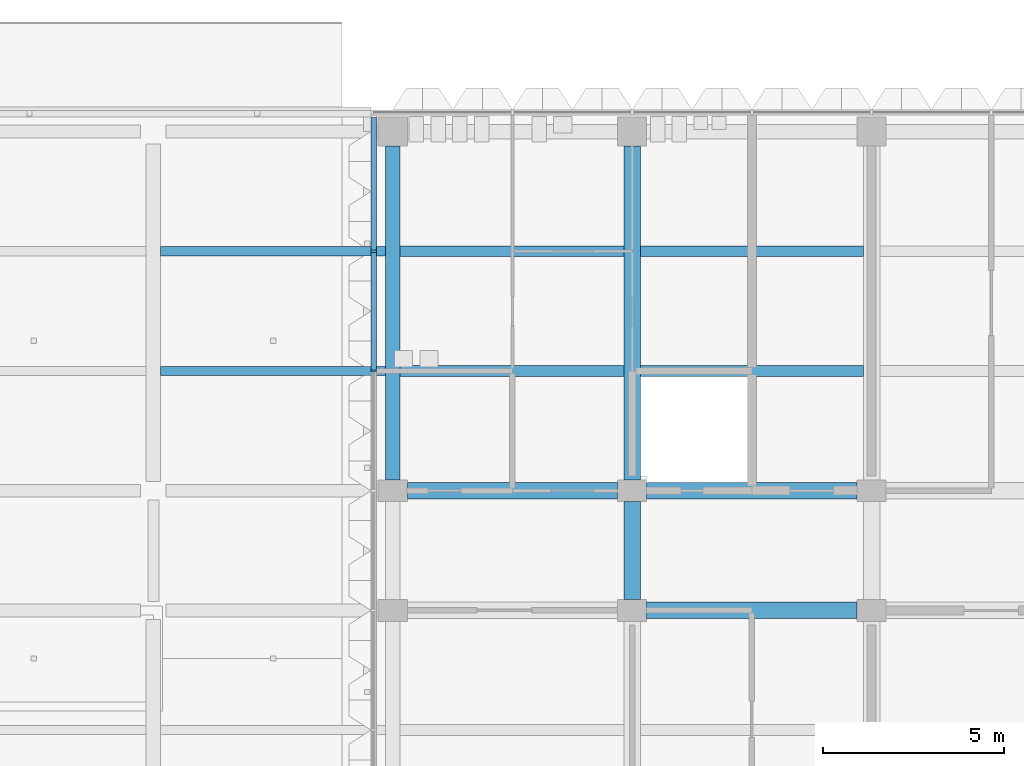
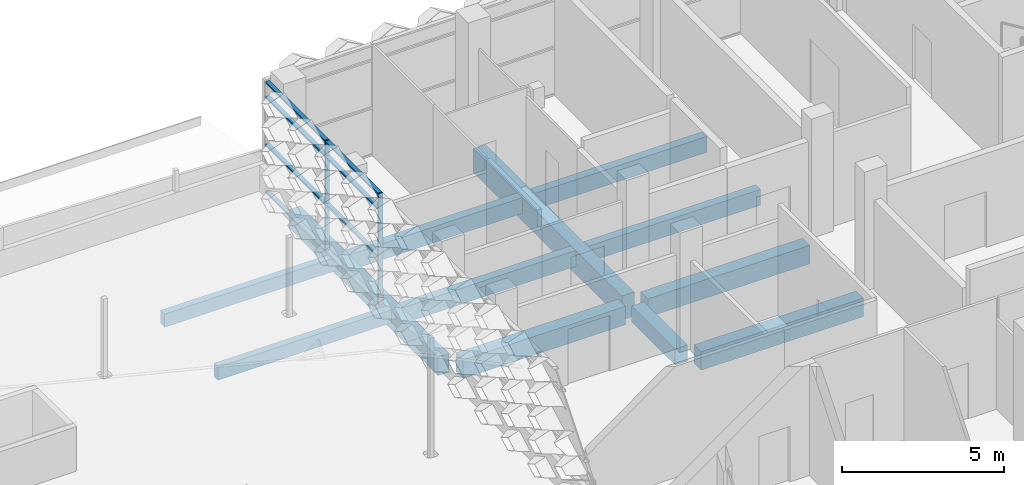
# One storey, part 4 of 39: 12 beams, 10 members, 1 element without a shape of its own.
"""IFC4 building model written with IfcOpenShell, lengths in metres."""

from ifc_helpers import new_model, si_unit, direction, frame, origin, origin_2d, place, context, subcontext, project, spatial, rectangle, extrude, material, material_profile, profile_set, type_object, element, aggregate, save


model = new_model("IFC4")

# Units and contexts
model_context = context("Model", 3, precision=1e-05, world=origin(), true_north=direction((0.0, 1.0)))
body_context = subcontext(model_context, "Body", "Model", "MODEL_VIEW")
ifc_project = project(units=[si_unit("LENGTHUNIT", "METRE"), si_unit("AREAUNIT", "SQUARE_METRE"), si_unit("VOLUMEUNIT", "CUBIC_METRE"), si_unit("PLANEANGLEUNIT", "RADIAN"), si_unit("MASSUNIT", "GRAM", prefix="KILO")], contexts=[model_context])

# Site, building, storey
site_placement = place(None, origin())
site = spatial("IfcSite", under=ifc_project, at=site_placement, CompositionType="ELEMENT")
building_placement = place(site_placement, origin())
building = spatial("IfcBuilding", under=site, at=building_placement, Name="Lantern Court Research Institute", CompositionType="ELEMENT")
storey_placement = place(building_placement, frame((0.0, 0.0, 27.89990234375)))
storey = spatial("IfcBuildingStorey", under=building, at=storey_placement, Name="L06", CompositionType="ELEMENT", Elevation=27.89990234375)

# Curtain wall, members
ifc_material_1 = material(Name="Aluminium alloy 6063-T6", Category="aluminium")
curtain_wall_type = type_object("IfcCurtainWallType", Name="Curtain wall 21250 x 4200 x 150 aluminium frame", PredefinedType="NOTDEFINED", material=ifc_material_1)
curtain_wall_placement = place(storey_placement, origin())
curtain_wall = element("IfcCurtainWall", 1, at=curtain_wall_placement, inside=storey, type_object=curtain_wall_type, Name="Curtain wall CW080", PredefinedType="NOTDEFINED")
ifc_material_2 = material(Name="Aluminium alloy 6063-T6", Category="aluminium")
ifc_material_profile_1 = material_profile(ifc_material_2, rectangle(XDim=0.14990234375, YDim=0.06005859375, at=origin_2d()), Name="Mullion 150 x 60")
ifc_profile_set_1 = profile_set([ifc_material_profile_1], Name="Aluminium alloy 6063-T6")
member_type_1 = type_object("IfcMemberType", Name="Mullion 150 x 60 aluminium", PredefinedType="MULLION", material=ifc_profile_set_1)
member_1_placement = place(storey_placement, frame((52.27490234375, 16.5, 0.0), z_axis=(0.0, 0.0, 1.0), x_axis=(-1.0, 0.0, 0.0)))
member_1 = element("IfcMember", 2, at=member_1_placement, type_object=member_type_1, Name="CW080 mullion 6", PredefinedType="MULLION", context=body_context, shape_type="SweptSolid", body=[
    extrude(rectangle(XDim=0.14990234375, YDim=0.06005859375, at=origin_2d()), origin(), (0.0, 0.0, 1.0), 4.2001953125),
])
member_2_placement = place(storey_placement, frame((52.27490234375, 19.800048828125, 0.0), z_axis=(0.0, 0.0, 1.0), x_axis=(-1.0, 0.0, 0.0)))
member_2 = element("IfcMember", 3, at=member_2_placement, type_object=member_type_1, Name="CW080 mullion 7", PredefinedType="MULLION", context=body_context, shape_type="SweptSolid", body=[
    extrude(rectangle(XDim=0.14990234375, YDim=0.06005859375, at=origin_2d()), origin(), (0.0, 0.0, 1.0), 4.2001953125),
])

# Beams
ifc_material_3 = material(Name="Concrete C40/50", Category="concrete")
ifc_material_profile_2 = material_profile(ifc_material_3, rectangle(XDim=0.449951171875, YDim=0.699951171875, at=origin_2d()), Name="RC beam 450 x 700")
ifc_profile_set_2 = profile_set([ifc_material_profile_2], Name="Concrete C40/50")
beam_type_1 = type_object("IfcBeamType", Name="RC beam 450 x 700", PredefinedType="BEAM", material=ifc_profile_set_2)
for number, where, z_axis, x_axis, name in (
    (4, (59.800048828125, 9.89990234375, -0.64990234375), (1.0, 0.0, 0.0), (0.0, 1.0, 0.0), "Beam L06 grid B/10-11"),
    (5, (53.199951171875, 13.199951171875, -0.64990234375), (1.0, 0.0, 0.0), (0.0, 1.0, 0.0), "Beam L06 grid C/9-10"),
    (6, (59.800048828125, 13.199951171875, -0.64990234375), (1.0, 0.0, 0.0), (0.0, 1.0, 0.0), "Beam L06 grid C/10-11"),
):
    element("IfcBeam", number, at=place(storey_placement, frame(where, z_axis=z_axis, x_axis=x_axis)), inside=storey, type_object=beam_type_1, Name=name, PredefinedType="BEAM", context=body_context, shape_type="SweptSolid", body=[
        extrude(rectangle(XDim=0.449951171875, YDim=0.699951171875, at=origin_2d()), origin(), (0.0, 0.0, 1.0), 5.800048828125),
    ])
ifc_material_4 = material(Name="Concrete C40/50", Category="concrete")
ifc_material_profile_3 = material_profile(ifc_material_4, rectangle(XDim=0.39990234375, YDim=0.699951171875, at=origin_2d()), Name="RC beam 400 x 700")
ifc_profile_set_3 = profile_set([ifc_material_profile_3], Name="Concrete C40/50")
beam_type_2 = type_object("IfcBeamType", Name="RC edge beam 400 x 700", PredefinedType="BEAM", material=ifc_profile_set_3)
beam_1_placement = place(storey_placement, frame((52.800048828125, 13.5, -0.64990234375), z_axis=(0.0, 1.0, 0.0), x_axis=(-1.0, 0.0, 0.0)))
element("IfcBeam", 7, at=beam_1_placement, inside=storey, type_object=beam_type_2, Name="Edge beam L06 grid 9/C-D", PredefinedType="BEAM", context=body_context, shape_type="SweptSolid", body=[
    extrude(rectangle(XDim=0.39990234375, YDim=0.699951171875, at=origin_2d()), origin(), (0.0, 0.0, 1.0), 9.199951171875),
])
ifc_material_5 = material(Name="Concrete C40/50", Category="concrete")
ifc_material_profile_4 = material_profile(ifc_material_5, rectangle(XDim=0.449951171875, YDim=0.89990234375, at=origin_2d()), Name="RC beam 450 x 900")
ifc_profile_set_4 = profile_set([ifc_material_profile_4], Name="Concrete C40/50")
beam_type_3 = type_object("IfcBeamType", Name="RC girder 450 x 900", PredefinedType="BEAM", material=ifc_profile_set_4)
beam_2_placement = place(storey_placement, frame((59.39990234375, 13.5, -0.75), z_axis=(0.0, 1.0, 0.0), x_axis=(-1.0, 0.0, 0.0)))
element("IfcBeam", 8, at=beam_2_placement, inside=storey, type_object=beam_type_3, Name="Girder L06 grid 10/C-D", PredefinedType="BEAM", context=body_context, shape_type="SweptSolid", body=[
    extrude(rectangle(XDim=0.449951171875, YDim=0.89990234375, at=origin_2d()), origin(), (0.0, 0.0, 1.0), 9.199951171875),
])
ifc_material_6 = material(Name="Concrete C40/50", Category="concrete")
ifc_material_profile_5 = material_profile(ifc_material_6, rectangle(XDim=0.25, YDim=0.5, at=origin_2d()), Name="RC beam 250 x 500")
ifc_profile_set_5 = profile_set([ifc_material_profile_5], Name="Concrete C40/50")
beam_type_4 = type_object("IfcBeamType", Name="RC secondary beam 250 x 500", PredefinedType="BEAM", material=ifc_profile_set_5)
for number, where, z_axis, x_axis, name in (
    (9, (46.39990234375, 16.5, -0.5), (1.0, 0.0, 0.0), (0.0, 1.0, 0.0), "Secondary beam L06 grids 8-9 / C-D, line 1"),
    (10, (46.39990234375, 19.800048828125, -0.5), (1.0, 0.0, 0.0), (0.0, 1.0, 0.0), "Secondary beam L06 grids 8-9 / C-D, line 2"),
):
    element("IfcBeam", number, at=place(storey_placement, frame(where, z_axis=z_axis, x_axis=x_axis)), inside=storey, type_object=beam_type_4, Name=name, PredefinedType="BEAM", context=body_context, shape_type="SweptSolid", body=[
        extrude(rectangle(XDim=0.25, YDim=0.5, at=origin_2d()), origin(), (0.0, 0.0, 1.0), 6.2001953125),
    ])
ifc_material_7 = material(Name="Concrete C40/50", Category="concrete")
ifc_material_profile_6 = material_profile(ifc_material_7, rectangle(XDim=0.300048828125, YDim=0.60009765625, at=origin_2d()), Name="RC beam 300 x 600")
ifc_profile_set_6 = profile_set([ifc_material_profile_6], Name="Concrete C40/50")
beam_type_5 = type_object("IfcBeamType", Name="RC secondary beam 300 x 600", PredefinedType="BEAM", material=ifc_profile_set_6)
beam_3_placement = place(storey_placement, frame((53.0, 16.5, -0.599853515625), z_axis=(1.0, 0.0, 0.0), x_axis=(0.0, 1.0, 0.0)))
element("IfcBeam", 11, at=beam_3_placement, inside=storey, type_object=beam_type_5, Name="Secondary beam L06 grids 9-10 / C-D, line 1", PredefinedType="BEAM", context=body_context, shape_type="SweptSolid", body=[
    extrude(rectangle(XDim=0.300048828125, YDim=0.60009765625, at=origin_2d()), origin(), (0.0, 0.0, 1.0), 6.175048828125),
])
beam_4_placement = place(storey_placement, frame((59.625, 16.5, -0.599853515625), z_axis=(1.0, 0.0, 0.0), x_axis=(0.0, 1.0, 0.0)))
element("IfcBeam", 12, at=beam_4_placement, inside=storey, type_object=beam_type_5, Name="Secondary beam L06 grids 10-11 / C-D, line 1", PredefinedType="BEAM", context=body_context, shape_type="SweptSolid", body=[
    extrude(rectangle(XDim=0.300048828125, YDim=0.60009765625, at=origin_2d()), origin(), (0.0, 0.0, 1.0), 6.14990234375),
])
beam_5_placement = place(storey_placement, frame((53.0, 19.800048828125, -0.599853515625), z_axis=(1.0, 0.0, 0.0), x_axis=(0.0, 1.0, 0.0)))
element("IfcBeam", 13, at=beam_5_placement, inside=storey, type_object=beam_type_5, Name="Secondary beam L06 grids 9-10 / C-D, line 2", PredefinedType="BEAM", context=body_context, shape_type="SweptSolid", body=[
    extrude(rectangle(XDim=0.300048828125, YDim=0.60009765625, at=origin_2d()), origin(), (0.0, 0.0, 1.0), 6.175048828125),
])
beam_6_placement = place(storey_placement, frame((59.625, 19.800048828125, -0.599853515625), z_axis=(1.0, 0.0, 0.0), x_axis=(0.0, 1.0, 0.0)))
element("IfcBeam", 14, at=beam_6_placement, inside=storey, type_object=beam_type_5, Name="Secondary beam L06 grids 10-11 / C-D, line 2", PredefinedType="BEAM", context=body_context, shape_type="SweptSolid", body=[
    extrude(rectangle(XDim=0.300048828125, YDim=0.60009765625, at=origin_2d()), origin(), (0.0, 0.0, 1.0), 6.14990234375),
])
ifc_material_8 = material(Name="Concrete C40/50", Category="concrete")
ifc_material_profile_7 = material_profile(ifc_material_8, rectangle(XDim=0.449951171875, YDim=0.60009765625, at=origin_2d()), Name="RC beam 450 x 600")
ifc_profile_set_7 = profile_set([ifc_material_profile_7], Name="Concrete C40/50")
beam_type_6 = type_object("IfcBeamType", Name="RC spine beam 450 x 600", PredefinedType="BEAM", material=ifc_profile_set_7)
beam_7_placement = place(storey_placement, frame((59.39990234375, 10.199951171875, -0.599853515625), z_axis=(0.0, 1.0, 0.0), x_axis=(-1.0, 0.0, 0.0)))
element("IfcBeam", 15, at=beam_7_placement, inside=storey, type_object=beam_type_6, Name="Beam L06 grid 10/B-C", PredefinedType="BEAM", context=body_context, shape_type="SweptSolid", body=[
    extrude(rectangle(XDim=0.449951171875, YDim=0.60009765625, at=origin_2d()), origin(), (0.0, 0.0, 1.0), 2.699951171875),
])

# Member
ifc_material_9 = material(Name="Aluminium alloy 6063-T6", Category="aluminium")
ifc_material_profile_8 = material_profile(ifc_material_9, rectangle(XDim=0.14990234375, YDim=0.06005859375, at=origin_2d()), Name="Transom 150 x 60")
ifc_profile_set_8 = profile_set([ifc_material_profile_8], Name="Aluminium alloy 6063-T6")
member_type_2 = type_object("IfcMemberType", Name="Transom 150 x 60 aluminium", PredefinedType="USERDEFINED", material=ifc_profile_set_8)
member_3_placement = place(storey_placement, frame((52.27490234375, 16.530029296875, 0.030029296875), z_axis=(0.0, 1.0, 0.0), x_axis=(-1.0, 0.0, 0.0)))
member_3 = element("IfcMember", 16, at=member_3_placement, type_object=member_type_2, Name="CW080 transom 6.1", ObjectType="TRANSOM", PredefinedType="USERDEFINED", context=body_context, shape_type="SweptSolid", body=[
    extrude(rectangle(XDim=0.14990234375, YDim=0.06005859375, at=origin_2d()), origin(), (0.0, 0.0, 1.0), 3.239990234375),
])

member_4_placement = place(storey_placement, frame((52.27490234375, 16.530029296875, 1.800048828125), z_axis=(0.0, 1.0, 0.0), x_axis=(-1.0, 0.0, 0.0)))
member_4 = element("IfcMember", 17, at=member_4_placement, type_object=member_type_2, Name="CW080 transom 6.2", ObjectType="TRANSOM", PredefinedType="USERDEFINED", context=body_context, shape_type="SweptSolid", body=[
    extrude(rectangle(XDim=0.14990234375, YDim=0.06005859375, at=origin_2d()), origin(), (0.0, 0.0, 1.0), 3.239990234375),
])

member_5_placement = place(storey_placement, frame((52.27490234375, 16.530029296875, 3.60009765625), z_axis=(0.0, 1.0, 0.0), x_axis=(-1.0, 0.0, 0.0)))
member_5 = element("IfcMember", 18, at=member_5_placement, type_object=member_type_2, Name="CW080 transom 6.3", ObjectType="TRANSOM", PredefinedType="USERDEFINED", context=body_context, shape_type="SweptSolid", body=[
    extrude(rectangle(XDim=0.14990234375, YDim=0.06005859375, at=origin_2d()), origin(), (0.0, 0.0, 1.0), 3.239990234375),
])

member_6_placement = place(storey_placement, frame((52.27490234375, 16.530029296875, 4.170166015625), z_axis=(0.0, 1.0, 0.0), x_axis=(-1.0, 0.0, 0.0)))
member_6 = element("IfcMember", 19, at=member_6_placement, type_object=member_type_2, Name="CW080 transom 6.4", ObjectType="TRANSOM", PredefinedType="USERDEFINED", context=body_context, shape_type="SweptSolid", body=[
    extrude(rectangle(XDim=0.14990234375, YDim=0.06005859375, at=origin_2d()), origin(), (0.0, 0.0, 1.0), 3.239990234375),
])

member_7_placement = place(storey_placement, frame((52.27490234375, 19.830078125, 0.030029296875), z_axis=(0.0, 1.0, 0.0), x_axis=(-1.0, 0.0, 0.0)))
member_7 = element("IfcMember", 20, at=member_7_placement, type_object=member_type_2, Name="CW080 transom 7.1", ObjectType="TRANSOM", PredefinedType="USERDEFINED", context=body_context, shape_type="SweptSolid", body=[
    extrude(rectangle(XDim=0.14990234375, YDim=0.06005859375, at=origin_2d()), origin(), (0.0, 0.0, 1.0), 3.659912109375),
])

member_8_placement = place(storey_placement, frame((52.27490234375, 19.830078125, 1.800048828125), z_axis=(0.0, 1.0, 0.0), x_axis=(-1.0, 0.0, 0.0)))
member_8 = element("IfcMember", 21, at=member_8_placement, type_object=member_type_2, Name="CW080 transom 7.2", ObjectType="TRANSOM", PredefinedType="USERDEFINED", context=body_context, shape_type="SweptSolid", body=[
    extrude(rectangle(XDim=0.14990234375, YDim=0.06005859375, at=origin_2d()), origin(), (0.0, 0.0, 1.0), 3.659912109375),
])

member_9_placement = place(storey_placement, frame((52.27490234375, 19.830078125, 3.60009765625), z_axis=(0.0, 1.0, 0.0), x_axis=(-1.0, 0.0, 0.0)))
member_9 = element("IfcMember", 22, at=member_9_placement, type_object=member_type_2, Name="CW080 transom 7.3", ObjectType="TRANSOM", PredefinedType="USERDEFINED", context=body_context, shape_type="SweptSolid", body=[
    extrude(rectangle(XDim=0.14990234375, YDim=0.06005859375, at=origin_2d()), origin(), (0.0, 0.0, 1.0), 3.659912109375),
])

member_10_placement = place(storey_placement, frame((52.27490234375, 19.830078125, 4.170166015625), z_axis=(0.0, 1.0, 0.0), x_axis=(-1.0, 0.0, 0.0)))
member_10 = element("IfcMember", 23, at=member_10_placement, type_object=member_type_2, Name="CW080 transom 7.4", ObjectType="TRANSOM", PredefinedType="USERDEFINED", context=body_context, shape_type="SweptSolid", body=[
    extrude(rectangle(XDim=0.14990234375, YDim=0.06005859375, at=origin_2d()), origin(), (0.0, 0.0, 1.0), 3.659912109375),
])

aggregate(curtain_wall, [member_1, member_2, member_3, member_4, member_5, member_6, member_7, member_8, member_9, member_10])

save(model, "model.ifc")
